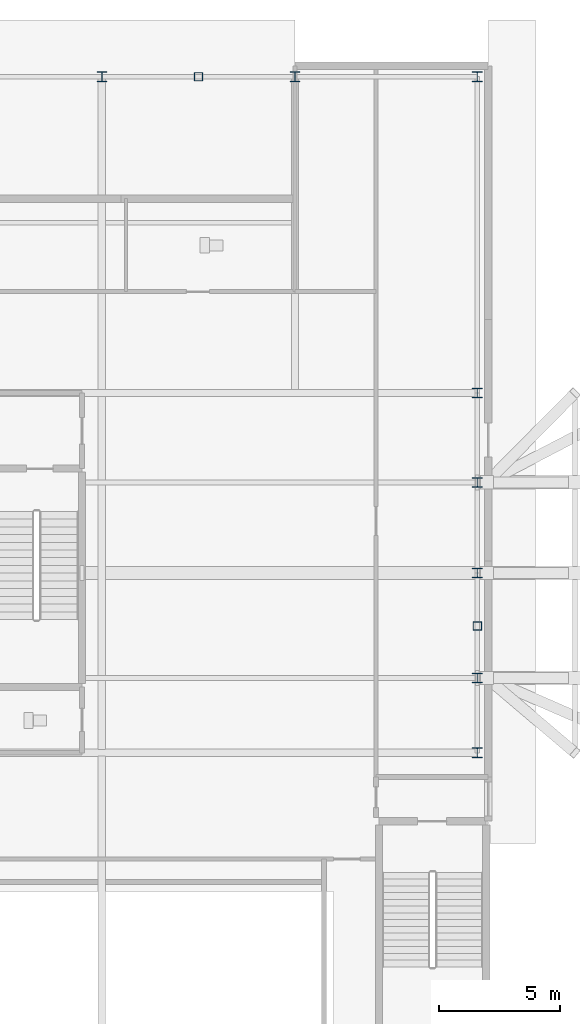
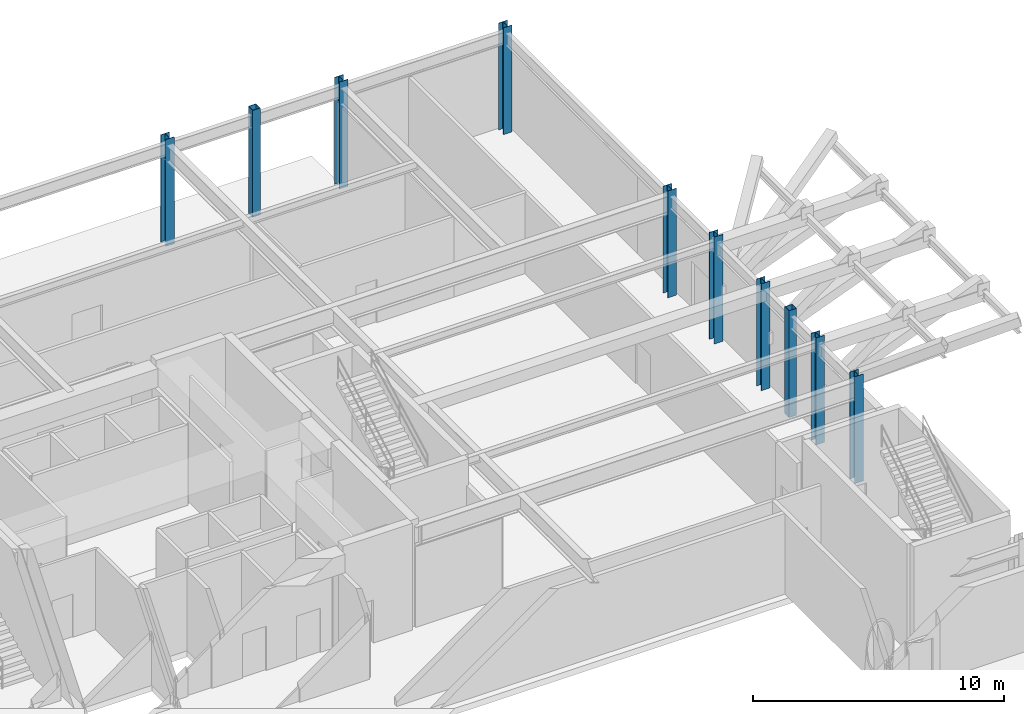
# One storey, part 4 of 19: 10 columns.
"""IFC4 building model written with IfcOpenShell, lengths in metres."""

from ifc_helpers import new_model, si_unit, direction, frame, origin, origin_2d, place, context, subcontext, project, spatial, hollow_rectangle, i_section, extrude, material, material_profile, profile_set, type_object, element, save


model = new_model("IFC4")

# Units and contexts
model_context = context("Model", 3, precision=1e-05, world=origin(), true_north=direction((0.0, 1.0)))
body_context = subcontext(model_context, "Body", "Model", "MODEL_VIEW")
ifc_project = project(units=[si_unit("LENGTHUNIT", "METRE"), si_unit("AREAUNIT", "SQUARE_METRE"), si_unit("VOLUMEUNIT", "CUBIC_METRE"), si_unit("PLANEANGLEUNIT", "RADIAN"), si_unit("MASSUNIT", "GRAM", prefix="KILO")], contexts=[model_context])

# Site, building, storey
site_placement = place(None, origin())
site = spatial("IfcSite", under=ifc_project, at=site_placement, CompositionType="ELEMENT")
building_placement = place(site_placement, origin())
building = spatial("IfcBuilding", under=site, at=building_placement, Name="Veldorina Hangang Commons", CompositionType="ELEMENT")
storey_placement = place(building_placement, origin())
storey = spatial("IfcBuildingStorey", under=building, at=storey_placement, Name="L00", CompositionType="ELEMENT", Elevation=0.0)

# Columns
ifc_material_1 = material(Name="Steel SM460-TMC", Category="steel")
ifc_material_profile_1 = material_profile(ifc_material_1, i_section(OverallWidth=0.39990234375, OverallDepth=0.39990234375, WebThickness=0.012939453125, FlangeThickness=0.02099609375, FilletRadius=0.01806640625, at=origin_2d()), Name="H-400x400x13x21")
ifc_profile_set_1 = profile_set([ifc_material_profile_1], Name="Steel SM460-TMC")
column_type_1 = type_object("IfcColumnType", Name="COL-H400", PredefinedType="COLUMN", material=ifc_profile_set_1)
for number, where, z_axis, x_axis, name in (
    (1, (44.0, 44.550048828125, 0.0), (0.0, 0.0, 1.0), (1.0, 0.0, 0.0), "L00 structural column N5"),
    (2, (52.0, 44.550048828125, 0.0), (0.0, 0.0, 1.0), (1.0, 0.0, 0.0), "L00 structural column N6"),
    (3, (59.550048828125, 44.550048828125, 0.0), (0.0, 0.0, 1.0), (1.0, 0.0, 0.0), "L00 structural column N7"),
    (4, (59.550048828125, 16.550048828125, 0.0), (0.0, 0.0, 1.0), (1.0, 0.0, 0.0), "L00 structural column E1"),
    (5, (59.550048828125, 19.64990234375, 0.0), (0.0, 0.0, 1.0), (1.0, 0.0, 0.0), "L00 structural column E2"),
    (6, (59.550048828125, 24.0, 0.0), (0.0, 0.0, 1.0), (1.0, 0.0, 0.0), "L00 structural column E3"),
    (7, (59.550048828125, 27.75, 0.0), (0.0, 0.0, 1.0), (1.0, 0.0, 0.0), "L00 structural column E4"),
    (8, (59.550048828125, 31.449951171875, 0.0), (0.0, 0.0, 1.0), (1.0, 0.0, 0.0), "L00 structural column E5"),
):
    element("IfcColumn", number, at=place(storey_placement, frame(where, z_axis=z_axis, x_axis=x_axis)), inside=storey, type_object=column_type_1, Name=name, PredefinedType="COLUMN", context=body_context, shape_type="SweptSolid", body=[
        extrude(i_section(OverallWidth=0.39990234375, OverallDepth=0.39990234375, WebThickness=0.012939453125, FlangeThickness=0.02099609375, FilletRadius=0.01806640625, at=origin_2d()), origin(), (0.0, 0.0, 1.0), 5.199951171875),
    ])
ifc_material_2 = material(Name="Steel SM355-TMC", Category="steel")
ifc_material_profile_2 = material_profile(ifc_material_2, hollow_rectangle(XDim=0.35009765625, YDim=0.35009765625, WallThickness=0.01611328125, at=origin_2d()), Name="SHS-350x350x16")
ifc_profile_set_2 = profile_set([ifc_material_profile_2], Name="Steel SM355-TMC")
column_type_2 = type_object("IfcColumnType", Name="COL-PIL-350", PredefinedType="PILASTER", material=ifc_profile_set_2)
for number, where, z_axis, x_axis, name in (
    (9, (48.0, 44.550048828125, 0.0), (0.0, 0.0, 1.0), (1.0, 0.0, 0.0), "L00 rationalist colonnade pilaster 2"),
    (10, (59.550048828125, 21.800048828125, 0.0), (0.0, 0.0, 1.0), (1.0, 0.0, 0.0), "L00 rationalist colonnade pilaster 4"),
):
    element("IfcColumn", number, at=place(storey_placement, frame(where, z_axis=z_axis, x_axis=x_axis)), inside=storey, type_object=column_type_2, Name=name, PredefinedType="PILASTER", context=body_context, shape_type="SweptSolid", body=[
        extrude(hollow_rectangle(XDim=0.35009765625, YDim=0.35009765625, WallThickness=0.01611328125, at=origin_2d()), origin(), (0.0, 0.0, 1.0), 5.199951171875),
    ])

save(model, "model.ifc")
